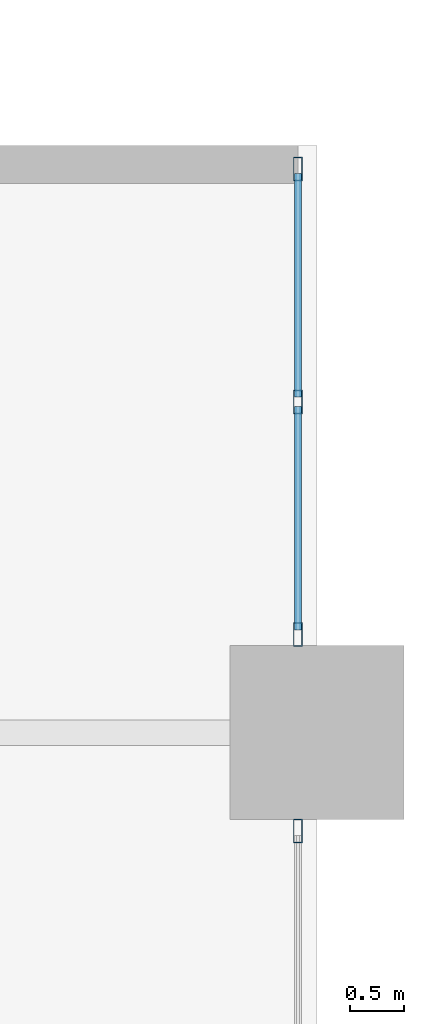
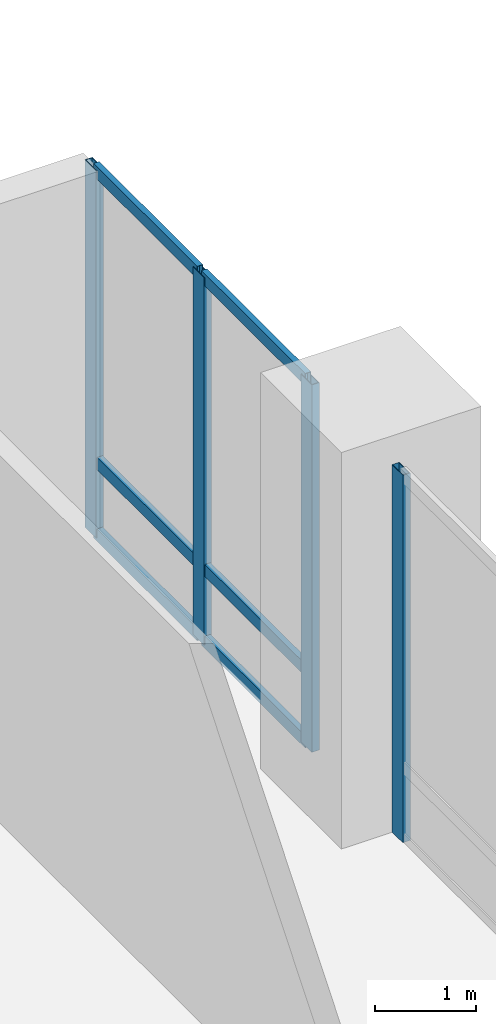
# One storey, part 7 of 22: 10 members, 2 elements without a shape of their own.
"""IFC4 building model written with IfcOpenShell, lengths in metres."""

import ifcopenshell
import ifcopenshell.guid

model = None  # the IFC model being written
_history = None  # IfcOwnerHistory: only IFC2X3 demands one
_inside = {}  # id of a spatial element -> (the spatial element, [elements in it])
_under = {}  # id of a project, library or spatial element -> (it, [spatial elements below it])
_declared = {}  # id of a project -> (the project, [libraries it declares])
_typed = {}  # id of a type object -> (the type object, [elements of that type])
_made_of = {}  # id of a material, layer set ... -> (it, [elements and type objects made of it])


def new_model(schema):
    """Start an empty IFC model of exactly this schema.

    Asked for "IFC4X3", IfcOpenShell would pick the latest addendum, in which some entities
    have other attributes; the version numbers below select the first issue.
    IFC2X3 requires an IfcOwnerHistory on every rooted entity: one is made here for all.
    """
    global model, _history
    if schema == "IFC4X3":
        model = ifcopenshell.file(schema_version=(4, 3, 0, 0))
    else:
        model = ifcopenshell.file(schema=schema)
    _inside.clear()
    _under.clear()
    _declared.clear()
    _typed.clear()
    _made_of.clear()
    _history = None
    if model.schema == "IFC2X3":
        org = make("IfcOrganization", Name="unknown")
        user = make(
            "IfcPersonAndOrganization",
            ThePerson=make("IfcPerson", FamilyName="unknown"),
            TheOrganization=org,
        )
        app = make(
            "IfcApplication",
            ApplicationDeveloper=org,
            Version="unknown",
            ApplicationFullName="unknown",
            ApplicationIdentifier="unknown",
        )
        _history = make(
            "IfcOwnerHistory",
            OwningUser=user,
            OwningApplication=app,
            ChangeAction="ADDED",
            CreationDate=0,
        )
    return model


def make(cls, **values):
    """One entity of the class cls with the attributes given. An attribute that is None is left unset."""
    return model.create_entity(
        cls, **{name: value for name, value in values.items() if value is not None}
    )


def rooted(cls, **values):
    """An entity with a GlobalId (a new one), such as an element, a storey or a relation."""
    return make(cls, GlobalId=ifcopenshell.guid.new(), OwnerHistory=_history, **values)


def si_unit(unit_type, name, prefix=None):
    """IfcSIUnit, for example si_unit("LENGTHUNIT", "METRE", prefix="MILLI")."""
    return make("IfcSIUnit", UnitType=unit_type, Prefix=prefix, Name=name)


def assignment(units):
    """IfcUnitAssignment: the units of a project."""
    return None if units is None else make("IfcUnitAssignment", Units=units)


def point(xyz):
    """IfcCartesianPoint."""
    return None if xyz is None else make("IfcCartesianPoint", Coordinates=xyz)


def direction(xyz):
    """IfcDirection."""
    return None if xyz is None else make("IfcDirection", DirectionRatios=xyz)


def frame(location, z_axis=None, x_axis=None):
    """IfcAxis2Placement3D, a coordinate frame: its origin and axes. An axis left out is left unset."""
    return make(
        "IfcAxis2Placement3D",
        Location=point(location),
        Axis=direction(z_axis),
        RefDirection=direction(x_axis),
    )


def frame_2d(location, x_axis=None):
    """IfcAxis2Placement2D, a coordinate frame in the plane: its origin and x axis."""
    return make(
        "IfcAxis2Placement2D", Location=point(location), RefDirection=direction(x_axis)
    )


def origin():
    """The frame at (0, 0, 0) with its axes left unset."""
    return frame((0.0, 0.0, 0.0))


def origin_2d():
    """The frame at (0, 0) in the plane with its x axis left unset."""
    return frame_2d((0.0, 0.0))


def place(relative_to, where):
    """IfcLocalPlacement: puts the frame where relative to a parent placement (None: the world)."""
    return make(
        "IfcLocalPlacement", PlacementRelTo=relative_to, RelativePlacement=where
    )


def context(
    kind, dimensions, precision=None, world=None, true_north=None, identifier=None
):
    """IfcGeometricRepresentationContext, for example the 3D "Model" context."""
    return make(
        "IfcGeometricRepresentationContext",
        ContextIdentifier=identifier,
        ContextType=kind,
        CoordinateSpaceDimension=dimensions,
        Precision=precision,
        WorldCoordinateSystem=world,
        TrueNorth=true_north,
    )


def subcontext(parent, identifier, kind, view, scale=None):
    """IfcGeometricRepresentationSubContext, for example "Body" below "Model"."""
    return make(
        "IfcGeometricRepresentationSubContext",
        ContextIdentifier=identifier,
        ContextType=kind,
        ParentContext=parent,
        TargetScale=scale,
        TargetView=view,
    )


def project(units=None, contexts=None):
    """IfcProject with its units and contexts."""
    return rooted(
        "IfcProject",
        Name="project",
        RepresentationContexts=contexts,
        UnitsInContext=assignment(units),
    )


def spatial(cls, under=None, at=None, **own):
    """A site, building, storey or space (cls), placed at a placement, below another one or the project."""
    s = rooted(cls, ObjectPlacement=at, **own)
    if under is not None:
        _under.setdefault(under.id(), (under, []))[1].append(s)
    return s


def profile(cls, at=None, kind="AREA", **sizes):
    """A parametric profile (cls). Its sizes go by their IFC names, for example OverallWidth=200.0."""
    return make(cls, ProfileType=kind, Position=at, **sizes)


def hollow_rectangle(**sizes):
    """IfcRectangleHollowProfileDef."""
    return profile("IfcRectangleHollowProfileDef", **sizes)


def extrude(swept, where, along, depth):
    """IfcExtrudedAreaSolid: the profile swept, set in the frame where, extruded along a direction by depth."""
    return make(
        "IfcExtrudedAreaSolid",
        SweptArea=swept,
        Position=where,
        ExtrudedDirection=direction(along),
        Depth=depth,
    )


def shape(context_of_items, identifier, shape_type, items):
    """IfcShapeRepresentation: the items that make up one representation, for example the "Body"."""
    return make(
        "IfcShapeRepresentation",
        ContextOfItems=context_of_items,
        RepresentationIdentifier=identifier,
        RepresentationType=shape_type,
        Items=items,
    )


def material(Name=None, Category=None):
    """IfcMaterial."""
    return make("IfcMaterial", Name=Name, Category=Category)


def layer(
    of_material, thickness, ventilated=None, Name=None, Category=None, Priority=None
):
    """IfcMaterialLayer: one layer of a wall or slab, of a material (None: an air gap)."""
    return make(
        "IfcMaterialLayer",
        Material=of_material,
        LayerThickness=thickness,
        IsVentilated=ventilated,
        Name=Name,
        Category=Category,
        Priority=Priority,
    )


def layer_set(layers, Name=None):
    """IfcMaterialLayerSet."""
    return make("IfcMaterialLayerSet", MaterialLayers=layers, LayerSetName=Name)


def material_profile(
    of_material, cross_section, Name=None, Category=None, Priority=None
):
    """IfcMaterialProfile: a cross section and its material."""
    return make(
        "IfcMaterialProfile",
        Name=Name,
        Material=of_material,
        Profile=cross_section,
        Priority=Priority,
        Category=Category,
    )


def profile_set(profiles, Name=None, composite=None):
    """IfcMaterialProfileSet."""
    return make(
        "IfcMaterialProfileSet",
        Name=Name,
        MaterialProfiles=profiles,
        CompositeProfile=composite,
    )


def made_of(thing, what):
    """Note that an element or type object is made of a material, layer set ...; save() writes the relation."""
    if what is not None:
        _made_of.setdefault(what.id(), (what, []))[1].append(thing)
    return thing


def type_object(cls, material=None, **own):
    """A type object (cls), such as IfcWallType, which elements share."""
    return made_of(rooted(cls, **own), material)


def element(
    cls,
    number,
    at=None,
    inside=None,
    cuts=None,
    type_object=None,
    material=None,
    context=None,
    identifier="Body",
    shape_type=None,
    held_by="IfcProductDefinitionShape",
    body=None,
    shapes=None,
    **own,
):
    """One element of the class cls, such as IfcWall. Its Tag is "e" and its number.

    at: its placement. inside: the storey or other place that contains it. cuts: it is an
    opening in that element (IfcRelVoidsElement). A single representation is given by context,
    identifier, shape_type and body (its items); several are given by shapes. held_by: the class
    of the entity that holds the representations. save() writes the other relations.
    """
    e = rooted(cls, Tag="e%d" % number, ObjectPlacement=at, **own)
    if body is not None:
        shapes = [shape(context, identifier, shape_type, body)]
    if shapes is not None:
        e.Representation = make(held_by, Representations=shapes)
    if inside is not None:
        _inside.setdefault(inside.id(), (inside, []))[1].append(e)
    if cuts is not None:
        rooted(
            "IfcRelVoidsElement", RelatingBuildingElement=cuts, RelatedOpeningElement=e
        )
    if type_object is not None:
        _typed.setdefault(type_object.id(), (type_object, []))[1].append(e)
    return made_of(e, material)


def aggregate(whole, parts):
    """IfcRelAggregates: a whole, such as a stair, and the parts it consists of."""
    return rooted("IfcRelAggregates", RelatingObject=whole, RelatedObjects=parts)


def save(model, path):
    """Write the relations noted so far, then the file.

    IfcRelAggregates (storeys below a building ...), IfcRelContainedInSpatialStructure (elements
    in a storey), IfcRelDefinesByType, IfcRelAssociatesMaterial and IfcRelDeclares: one each for
    every whole, place, type object, material and project.
    """
    for whole, parts in _under.values():
        aggregate(whole, parts)
    for where, things in _inside.values():
        rooted(
            "IfcRelContainedInSpatialStructure",
            RelatedElements=things,
            RelatingStructure=where,
        )
    for kind, things in _typed.values():
        rooted("IfcRelDefinesByType", RelatedObjects=things, RelatingType=kind)
    for what, things in _made_of.values():
        rooted("IfcRelAssociatesMaterial", RelatedObjects=things, RelatingMaterial=what)
    for by, libraries in _declared.values():
        rooted("IfcRelDeclares", RelatingContext=by, RelatedDefinitions=libraries)
    model.write(path)


model = new_model("IFC4")

# Units and contexts
model_context = context("Model", 3, precision=1e-05, world=origin(), true_north=direction((0.0, 1.0)))
body_context = subcontext(model_context, "Body", "Model", "MODEL_VIEW")
ifc_project = project(units=[si_unit("LENGTHUNIT", "METRE"), si_unit("AREAUNIT", "SQUARE_METRE"), si_unit("VOLUMEUNIT", "CUBIC_METRE"), si_unit("PLANEANGLEUNIT", "RADIAN"), si_unit("MASSUNIT", "GRAM", prefix="KILO")], contexts=[model_context])

# Site, building, storey
site_placement = place(None, origin())
site = spatial("IfcSite", under=ifc_project, at=site_placement, CompositionType="ELEMENT")
building_placement = place(site_placement, origin())
building = spatial("IfcBuilding", under=site, at=building_placement, Name="Koriwani Terraces Tower", CompositionType="ELEMENT")
storey_placement = place(building_placement, frame((0.0, 0.0, 10.800048828125)))
storey = spatial("IfcBuildingStorey", under=building, at=storey_placement, Name="L02", CompositionType="ELEMENT", Elevation=10.800048828125)

# Curtain wall, members
ifc_material = material(Name="Anodised Bronze Aluminium", Category="aluminium")
ifc_layer = layer(ifc_material, 0.199951171875, Name="Anodised Bronze Aluminium")
ifc_layer_set = layer_set([ifc_layer], Name="Anodised Bronze Aluminium")
curtain_wall_type = type_object("IfcCurtainWallType", Name="CW_PODIUM_GALLERIA", PredefinedType="NOTDEFINED", material=ifc_layer_set)
curtain_wall_1_placement = place(storey_placement, origin())
curtain_wall_1 = element("IfcCurtainWall", 1, at=curtain_wall_1_placement, inside=storey, type_object=curtain_wall_type, Name="L02 Unitised Curtain Wall (E_TIP) Bay 1", PredefinedType="NOTDEFINED")
ifc_material_profile_1 = material_profile(ifc_material, hollow_rectangle(XDim=0.0849609375, YDim=0.219970703125, WallThickness=0.008056640625, at=origin_2d()), Name="Anodised Bronze Aluminium", Category="LoadBearing")
ifc_profile_set_1 = profile_set([ifc_material_profile_1], Name="Anodised Bronze Aluminium")
member_type_1 = type_object("IfcMemberType", Name="CW_MULLION_220X85", PredefinedType="MULLION", material=ifc_profile_set_1)
member_1_placement = place(storey_placement, frame((92.22509765625, 38.782470703125, 0.0), z_axis=(0.0, 0.0, 1.0), x_axis=(1.0, 0.0, 0.0)))
member_1 = element("IfcMember", 2, at=member_1_placement, type_object=member_type_1, Name="CW-POD mullion 1", PredefinedType="MULLION", context=body_context, shape_type="SweptSolid", body=[
    extrude(hollow_rectangle(XDim=0.0849609375, YDim=0.219970703125, WallThickness=0.008056640625, at=origin_2d()), origin(), (0.0, 0.0, 1.0), 4.449951171875),
])
member_2_placement = place(storey_placement, frame((92.22509765625, 36.642578125, 0.0), z_axis=(0.0, 0.0, 1.0), x_axis=(1.0, 0.0, 0.0)))
member_2 = element("IfcMember", 3, at=member_2_placement, type_object=member_type_1, Name="CW-POD mullion 2", PredefinedType="MULLION", context=body_context, shape_type="SweptSolid", body=[
    extrude(hollow_rectangle(XDim=0.0849609375, YDim=0.219970703125, WallThickness=0.008056640625, at=origin_2d()), origin(), (0.0, 0.0, 1.0), 4.449951171875),
])
member_3_placement = place(storey_placement, frame((92.22509765625, 34.50244140625, 0.0), z_axis=(0.0, 0.0, 1.0), x_axis=(1.0, 0.0, 0.0)))
member_3 = element("IfcMember", 4, at=member_3_placement, type_object=member_type_1, Name="CW-POD mullion 3", PredefinedType="MULLION", context=body_context, shape_type="SweptSolid", body=[
    extrude(hollow_rectangle(XDim=0.0849609375, YDim=0.219970703125, WallThickness=0.008056640625, at=origin_2d()), origin(), (0.0, 0.0, 1.0), 4.449951171875),
])

# Curtain wall, member
curtain_wall_2_placement = place(storey_placement, origin())
curtain_wall_2 = element("IfcCurtainWall", 5, at=curtain_wall_2_placement, inside=storey, type_object=curtain_wall_type, Name="L02 Unitised Curtain Wall (E_TIP) Bay 2", PredefinedType="NOTDEFINED")
member_4_placement = place(storey_placement, frame((92.22509765625, 32.697509765625, 0.0), z_axis=(0.0, 0.0, 1.0), x_axis=(1.0, 0.0, 0.0)))
member_4 = element("IfcMember", 6, at=member_4_placement, type_object=member_type_1, Name="CW-POD mullion 1", PredefinedType="MULLION", context=body_context, shape_type="SweptSolid", body=[
    extrude(hollow_rectangle(XDim=0.0849609375, YDim=0.219970703125, WallThickness=0.008056640625, at=origin_2d()), origin(), (0.0, 0.0, 1.0), 4.449951171875),
])
aggregate(curtain_wall_2, [member_4])

# Member
ifc_material_profile_2 = material_profile(ifc_material, hollow_rectangle(XDim=0.06494140625, YDim=0.14990234375, WallThickness=0.0048828125, at=origin_2d()), Name="Anodised Bronze Aluminium", Category="LoadBearing")
ifc_profile_set_2 = profile_set([ifc_material_profile_2], Name="Anodised Bronze Aluminium")
member_type_2 = type_object("IfcMemberType", Name="CW_TRANSOM_150X65", PredefinedType="USERDEFINED", material=ifc_profile_set_2)
member_5_placement = place(storey_placement, frame((92.22509765625, 38.739990234375, 0.032470703125), z_axis=(0.0, -1.0, 0.0), x_axis=(1.0, 0.0, 0.0)))
member_5 = element("IfcMember", 7, at=member_5_placement, type_object=member_type_2, Name="CW-POD transom 1.1", ObjectType="TRANSOM", PredefinedType="USERDEFINED", context=body_context, shape_type="SweptSolid", body=[
    extrude(hollow_rectangle(XDim=0.06494140625, YDim=0.14990234375, WallThickness=0.0048828125, at=origin_2d()), origin(), (0.0, 0.0, 1.0), 2.054931640625),
])

member_6_placement = place(storey_placement, frame((92.22509765625, 38.739990234375, 0.89990234375), z_axis=(0.0, -1.0, 0.0), x_axis=(1.0, 0.0, 0.0)))
member_6 = element("IfcMember", 8, at=member_6_placement, type_object=member_type_2, Name="CW-POD transom 1.2", ObjectType="TRANSOM", PredefinedType="USERDEFINED", context=body_context, shape_type="SweptSolid", body=[
    extrude(hollow_rectangle(XDim=0.06494140625, YDim=0.14990234375, WallThickness=0.0048828125, at=origin_2d()), origin(), (0.0, 0.0, 1.0), 2.054931640625),
])

member_7_placement = place(storey_placement, frame((92.22509765625, 38.739990234375, 4.41748046875), z_axis=(0.0, -1.0, 0.0), x_axis=(1.0, 0.0, 0.0)))
member_7 = element("IfcMember", 9, at=member_7_placement, type_object=member_type_2, Name="CW-POD transom 1.3", ObjectType="TRANSOM", PredefinedType="USERDEFINED", context=body_context, shape_type="SweptSolid", body=[
    extrude(hollow_rectangle(XDim=0.06494140625, YDim=0.14990234375, WallThickness=0.0048828125, at=origin_2d()), origin(), (0.0, 0.0, 1.0), 2.054931640625),
])

member_8_placement = place(storey_placement, frame((92.22509765625, 36.60009765625, 0.032470703125), z_axis=(0.0, -1.0, 0.0), x_axis=(1.0, 0.0, 0.0)))
member_8 = element("IfcMember", 10, at=member_8_placement, type_object=member_type_2, Name="CW-POD transom 2.1", ObjectType="TRANSOM", PredefinedType="USERDEFINED", context=body_context, shape_type="SweptSolid", body=[
    extrude(hollow_rectangle(XDim=0.06494140625, YDim=0.14990234375, WallThickness=0.0048828125, at=origin_2d()), origin(), (0.0, 0.0, 1.0), 2.05517578125),
])

member_9_placement = place(storey_placement, frame((92.22509765625, 36.60009765625, 0.89990234375), z_axis=(0.0, -1.0, 0.0), x_axis=(1.0, 0.0, 0.0)))
member_9 = element("IfcMember", 11, at=member_9_placement, type_object=member_type_2, Name="CW-POD transom 2.2", ObjectType="TRANSOM", PredefinedType="USERDEFINED", context=body_context, shape_type="SweptSolid", body=[
    extrude(hollow_rectangle(XDim=0.06494140625, YDim=0.14990234375, WallThickness=0.0048828125, at=origin_2d()), origin(), (0.0, 0.0, 1.0), 2.05517578125),
])

member_10_placement = place(storey_placement, frame((92.22509765625, 36.60009765625, 4.41748046875), z_axis=(0.0, -1.0, 0.0), x_axis=(1.0, 0.0, 0.0)))
member_10 = element("IfcMember", 12, at=member_10_placement, type_object=member_type_2, Name="CW-POD transom 2.3", ObjectType="TRANSOM", PredefinedType="USERDEFINED", context=body_context, shape_type="SweptSolid", body=[
    extrude(hollow_rectangle(XDim=0.06494140625, YDim=0.14990234375, WallThickness=0.0048828125, at=origin_2d()), origin(), (0.0, 0.0, 1.0), 2.05517578125),
])

aggregate(curtain_wall_1, [member_1, member_2, member_3, member_5, member_6, member_7, member_8, member_9, member_10])

save(model, "model.ifc")
